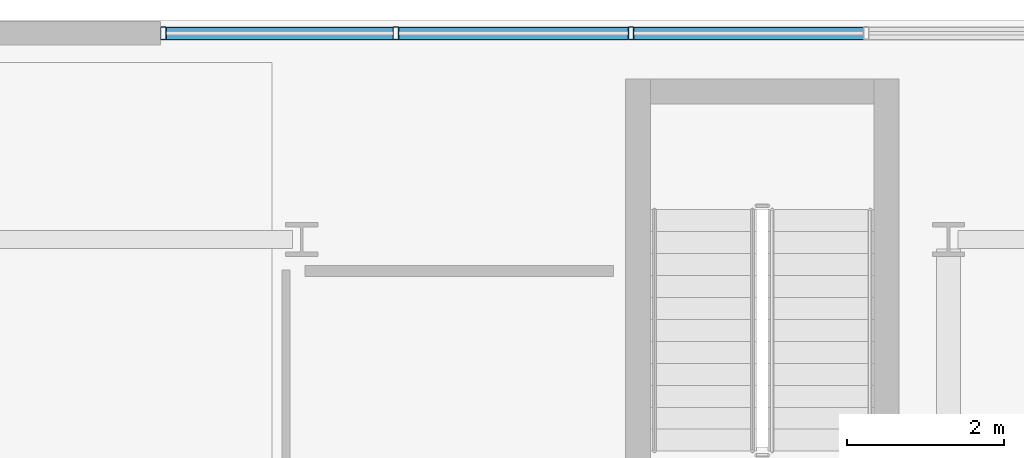
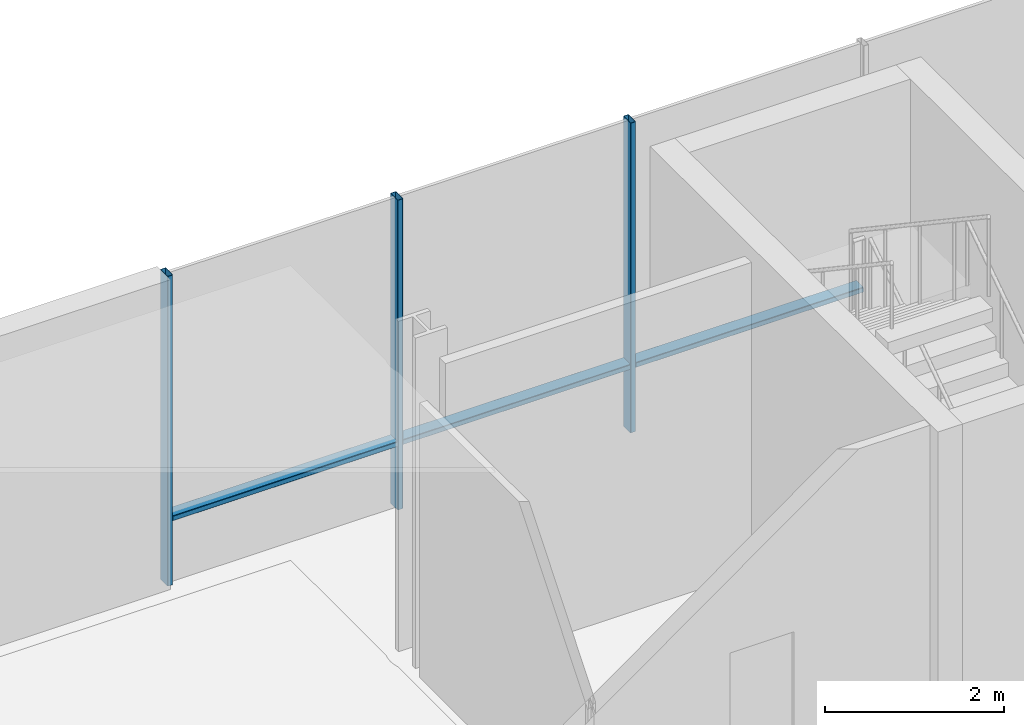
# One storey, part 8 of 25: 6 members, 1 element without a shape of its own.
"""IFC4 building model written with IfcOpenShell, lengths in metres."""

from ifc_helpers import new_model, si_unit, direction, frame, origin, origin_2d, place, context, subcontext, project, spatial, hollow_rectangle, extrude, material, layer, layer_set, material_profile, profile_set, type_object, element, aggregate, save


model = new_model("IFC4")

# Units and contexts
model_context = context("Model", 3, precision=1e-05, world=origin(), true_north=direction((0.0, 1.0)))
body_context = subcontext(model_context, "Body", "Model", "MODEL_VIEW")
ifc_project = project(units=[si_unit("LENGTHUNIT", "METRE"), si_unit("AREAUNIT", "SQUARE_METRE"), si_unit("VOLUMEUNIT", "CUBIC_METRE"), si_unit("PLANEANGLEUNIT", "RADIAN"), si_unit("MASSUNIT", "GRAM", prefix="KILO")], contexts=[model_context])

# Site, building, storey
site_placement = place(None, origin())
site = spatial("IfcSite", under=ifc_project, at=site_placement, CompositionType="ELEMENT")
building_placement = place(site_placement, origin())
building = spatial("IfcBuilding", under=site, at=building_placement, Name="Brevholm Reach", CompositionType="ELEMENT")
storey_placement = place(building_placement, frame((0.0, 0.0, 9.0)))
storey = spatial("IfcBuildingStorey", under=building, at=storey_placement, Name="L02", CompositionType="ELEMENT", Elevation=9.0)

# Curtain wall, members
ifc_material_1 = material(Name="Dark Anodised Aluminium 6063-T6 and Solar-Control Glass", Category="aluminium")
ifc_layer = layer(ifc_material_1, 0.1650390625)
ifc_layer_set = layer_set([ifc_layer], Name="Dark Anodised Aluminium 6063-T6 and Solar-Control Glass")
curtain_wall_type = type_object("IfcCurtainWallType", Name="CW-03", PredefinedType="NOTDEFINED", material=ifc_layer_set)
curtain_wall_placement = place(storey_placement, origin())
curtain_wall = element("IfcCurtainWall", 1, at=curtain_wall_placement, inside=storey, type_object=curtain_wall_type, Name="L02 Curtain Wall CW-03", PredefinedType="NOTDEFINED")
ifc_material_2 = material(Name="Dark Anodised Aluminium 6063-T6", Category="aluminium")
ifc_material_profile_1 = material_profile(ifc_material_2, hollow_rectangle(XDim=0.070068359375, YDim=0.1650390625, WallThickness=0.0048828125, InnerFilletRadius=0.0048828125, OuterFilletRadius=0.010009765625, at=origin_2d()), Name="RHS 165x70x5")
ifc_profile_set_1 = profile_set([ifc_material_profile_1], Name="Dark Anodised Aluminium 6063-T6")
member_type_1 = type_object("IfcMemberType", Name="CWM-165", PredefinedType="MULLION", material=ifc_profile_set_1)
member_1_placement = place(storey_placement, frame((28.235107421875, 39.830078125, 0.0), z_axis=(0.0, 0.0, 1.0), x_axis=(1.0, 0.0, 0.0)))
member_1 = element("IfcMember", 2, at=member_1_placement, type_object=member_type_1, Name="CM-165 Mullion 1", PredefinedType="MULLION", context=body_context, shape_type="SweptSolid", body=[
    extrude(hollow_rectangle(XDim=0.070068359375, YDim=0.1650390625, WallThickness=0.0048828125, InnerFilletRadius=0.0048828125, OuterFilletRadius=0.010009765625, at=origin_2d()), origin(), (0.0, 0.0, 1.0), 4.219970703125),
])
member_2_placement = place(storey_placement, frame((31.199951171875, 39.830078125, 0.0), z_axis=(0.0, 0.0, 1.0), x_axis=(1.0, 0.0, 0.0)))
member_2 = element("IfcMember", 3, at=member_2_placement, type_object=member_type_1, Name="CM-165 Mullion 2", PredefinedType="MULLION", context=body_context, shape_type="SweptSolid", body=[
    extrude(hollow_rectangle(XDim=0.070068359375, YDim=0.1650390625, WallThickness=0.0048828125, InnerFilletRadius=0.0048828125, OuterFilletRadius=0.010009765625, at=origin_2d()), origin(), (0.0, 0.0, 1.0), 4.219970703125),
])
member_3_placement = place(storey_placement, frame((34.199951171875, 39.830078125, 0.0), z_axis=(0.0, 0.0, 1.0), x_axis=(1.0, 0.0, 0.0)))
member_3 = element("IfcMember", 4, at=member_3_placement, type_object=member_type_1, Name="CM-165 Mullion 3", PredefinedType="MULLION", context=body_context, shape_type="SweptSolid", body=[
    extrude(hollow_rectangle(XDim=0.070068359375, YDim=0.1650390625, WallThickness=0.0048828125, InnerFilletRadius=0.0048828125, OuterFilletRadius=0.010009765625, at=origin_2d()), origin(), (0.0, 0.0, 1.0), 4.219970703125),
])
ifc_material_3 = material(Name="Dark Anodised Aluminium 6063-T6", Category="aluminium")
ifc_material_profile_2 = material_profile(ifc_material_3, hollow_rectangle(XDim=0.070068359375, YDim=0.1650390625, WallThickness=0.0048828125, InnerFilletRadius=0.0048828125, OuterFilletRadius=0.010009765625, at=origin_2d()), Name="RHS 165x70x5")
ifc_profile_set_2 = profile_set([ifc_material_profile_2], Name="Dark Anodised Aluminium 6063-T6")
member_type_2 = type_object("IfcMemberType", Name="CWT-165", PredefinedType="NOTDEFINED", material=ifc_profile_set_2)
member_4_placement = place(storey_placement, frame((28.27001953125, 39.830078125, 0.89990234375), z_axis=(1.0, 0.0, 0.0), x_axis=(0.0, 0.0, 1.0)))
member_4 = element("IfcMember", 5, at=member_4_placement, type_object=member_type_2, Name="CT-165 Transom 1.1", ObjectType="TRANSOM", PredefinedType="USERDEFINED", context=body_context, shape_type="SweptSolid", body=[
    extrude(hollow_rectangle(XDim=0.070068359375, YDim=0.1650390625, WallThickness=0.0048828125, InnerFilletRadius=0.0048828125, OuterFilletRadius=0.010009765625, at=origin_2d()), origin(), (0.0, 0.0, 1.0), 2.89501953125),
])
member_5_placement = place(storey_placement, frame((31.235107421875, 39.830078125, 0.89990234375), z_axis=(1.0, 0.0, 0.0), x_axis=(0.0, 0.0, 1.0)))
member_5 = element("IfcMember", 6, at=member_5_placement, type_object=member_type_2, Name="CT-165 Transom 2.1", ObjectType="TRANSOM", PredefinedType="USERDEFINED", context=body_context, shape_type="SweptSolid", body=[
    extrude(hollow_rectangle(XDim=0.070068359375, YDim=0.1650390625, WallThickness=0.0048828125, InnerFilletRadius=0.0048828125, OuterFilletRadius=0.010009765625, at=origin_2d()), origin(), (0.0, 0.0, 1.0), 2.929931640625),
])
member_6_placement = place(storey_placement, frame((34.235107421875, 39.830078125, 0.89990234375), z_axis=(1.0, 0.0, 0.0), x_axis=(0.0, 0.0, 1.0)))
member_6 = element("IfcMember", 7, at=member_6_placement, type_object=member_type_2, Name="CT-165 Transom 3.1", ObjectType="TRANSOM", PredefinedType="USERDEFINED", context=body_context, shape_type="SweptSolid", body=[
    extrude(hollow_rectangle(XDim=0.070068359375, YDim=0.1650390625, WallThickness=0.0048828125, InnerFilletRadius=0.0048828125, OuterFilletRadius=0.010009765625, at=origin_2d()), origin(), (0.0, 0.0, 1.0), 2.929931640625),
])
aggregate(curtain_wall, [member_1, member_2, member_3, member_4, member_5, member_6])

save(model, "model.ifc")
